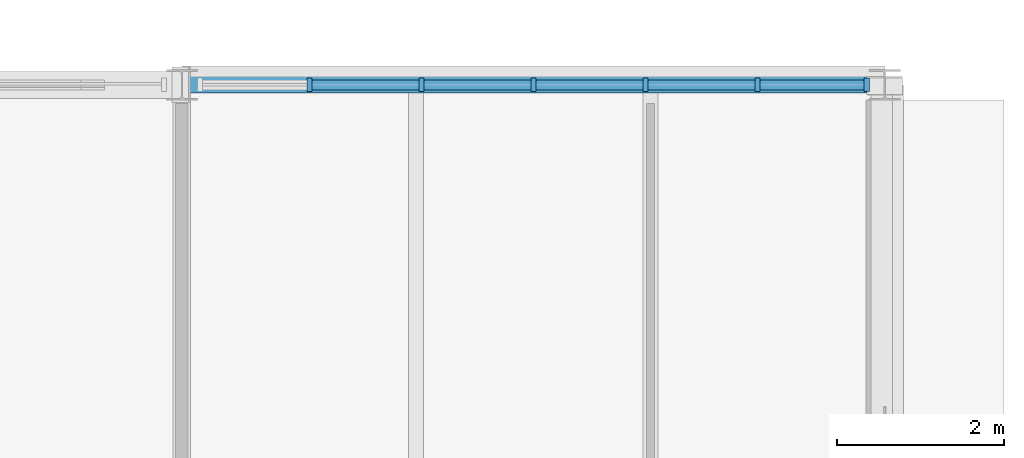
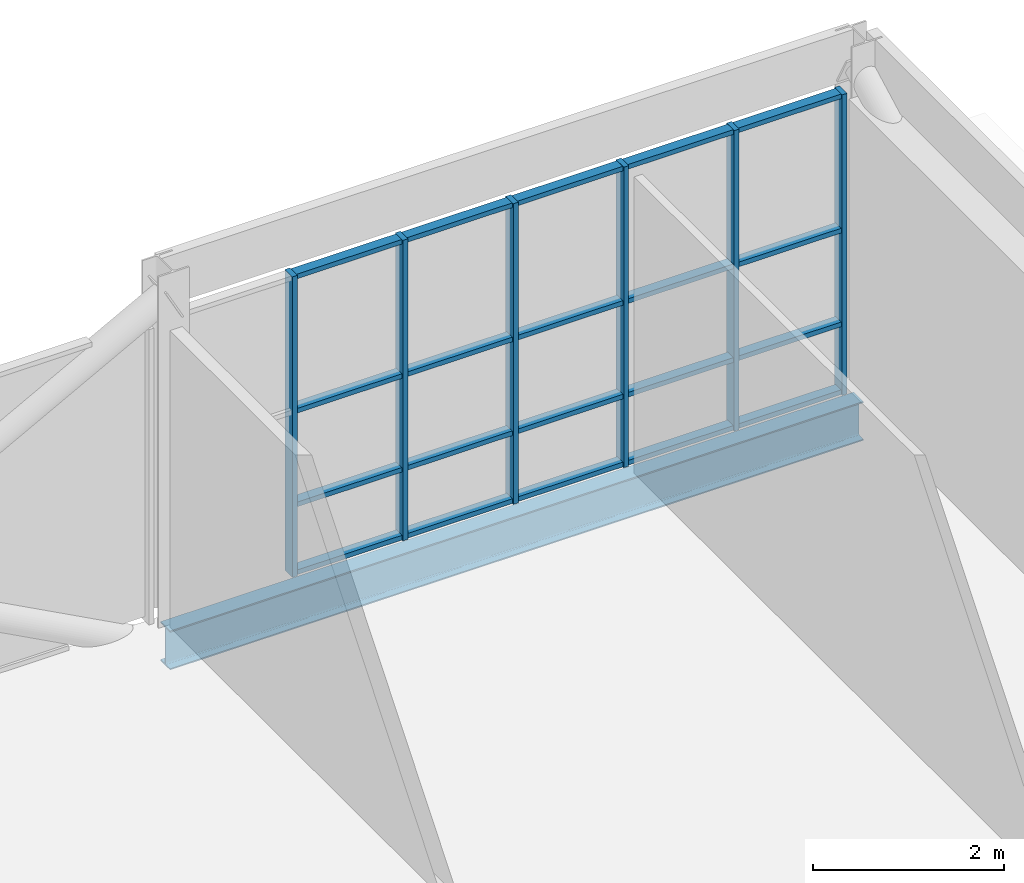
# One storey, part 65 of 121: 26 members, 1 beam, 1 element without a shape of its own.
"""IFC4 building model written with IfcOpenShell, lengths in metres."""

from ifc_helpers import new_model, si_unit, direction, frame, origin, origin_2d, place, context, subcontext, project, spatial, rectangle, i_section, extrude, material, layer, layer_set, material_profile, profile_set, type_object, element, aggregate, save


model = new_model("IFC4")

# Units and contexts
model_context = context("Model", 3, precision=1e-05, world=origin(), true_north=direction((0.0, 1.0)))
body_context = subcontext(model_context, "Body", "Model", "MODEL_VIEW")
ifc_project = project(units=[si_unit("LENGTHUNIT", "METRE"), si_unit("AREAUNIT", "SQUARE_METRE"), si_unit("VOLUMEUNIT", "CUBIC_METRE"), si_unit("PLANEANGLEUNIT", "RADIAN"), si_unit("MASSUNIT", "GRAM", prefix="KILO")], contexts=[model_context])

# Site, building, storey
site_placement = place(None, origin())
site = spatial("IfcSite", under=ifc_project, at=site_placement, CompositionType="ELEMENT")
building_placement = place(site_placement, origin())
building = spatial("IfcBuilding", under=site, at=building_placement, Name="Ardhachandra Cancer Care Centre", CompositionType="ELEMENT")
storey_placement = place(building_placement, frame((0.0, 0.0, 9.0)))
storey = spatial("IfcBuildingStorey", under=building, at=storey_placement, Name="L02", CompositionType="ELEMENT", Elevation=9.0)

# Beam
ifc_material_1 = material(Name="Steel E350 (IS 2062)", Category="steel")
ifc_material_profile_1 = material_profile(ifc_material_1, i_section(OverallWidth=0.199951171875, OverallDepth=0.5, WebThickness=0.01025390625, FlangeThickness=0.01611328125, FilletRadius=0.02099609375, at=origin_2d()), Name="NPB 500x200x90.68")
ifc_profile_set_1 = profile_set([ifc_material_profile_1], Name="Steel E350 (IS 2062)")
beam_type = type_object("IfcBeamType", Name="Beam NPB 500x200x90.68", PredefinedType="BEAM", material=ifc_profile_set_1)
beam_placement = place(storey_placement, frame((136.800048828125, 105.0, -0.39990234375), z_axis=(1.0, 0.0, 0.0), x_axis=(0.0, 1.0, 0.0)))
element("IfcBeam", 1, at=beam_placement, inside=storey, type_object=beam_type, Name="Edge girder M16-M17", PredefinedType="BEAM", context=body_context, shape_type="SweptSolid", body=[
    extrude(i_section(OverallWidth=0.199951171875, OverallDepth=0.5, WebThickness=0.01025390625, FlangeThickness=0.01611328125, FilletRadius=0.02099609375, at=origin_2d()), origin(), (0.0, 0.0, 1.0), 8.39990234375),
])

# Curtain wall, members
ifc_material_2 = material(Name="Aluminium extrusion", Category="aluminium")
ifc_layer = layer(ifc_material_2, 0.14990234375)
ifc_layer_set = layer_set([ifc_layer], Name="Aluminium extrusion")
curtain_wall_type = type_object("IfcCurtainWallType", Name="Curtain wall run", PredefinedType="NOTDEFINED", material=ifc_layer_set)
curtain_wall_placement = place(storey_placement, origin())
curtain_wall = element("IfcCurtainWall", 2, at=curtain_wall_placement, inside=storey, type_object=curtain_wall_type, Name="Curtain wall L02 n/0136800_0105000", PredefinedType="NOTDEFINED")
ifc_material_3 = material(Name="Aluminium extrusion", Category="aluminium")
ifc_material_profile_2 = material_profile(ifc_material_3, rectangle(XDim=0.159912109375, YDim=0.06005859375, at=origin_2d()), Name="Curtain wall mullion 60 x 160")
ifc_profile_set_2 = profile_set([ifc_material_profile_2], Name="Aluminium extrusion")
member_type_1 = type_object("IfcMemberType", Name="Curtain wall mullion 60 x 160", PredefinedType="MULLION", material=ifc_profile_set_2)
member_1_placement = place(storey_placement, frame((138.32373046875, 105.0, 0.0), z_axis=(0.0, 0.0, 1.0), x_axis=(0.0, 1.0, 0.0)))
member_1 = element("IfcMember", 3, at=member_1_placement, type_object=member_type_1, Name="CW mullion 2", PredefinedType="MULLION", context=body_context, shape_type="SweptSolid", body=[
    extrude(rectangle(XDim=0.159912109375, YDim=0.06005859375, at=origin_2d()), origin(), (0.0, 0.0, 1.0), 3.85009765625),
])
member_2_placement = place(storey_placement, frame((139.661865234375, 105.0, 0.0), z_axis=(0.0, 0.0, 1.0), x_axis=(0.0, 1.0, 0.0)))
member_2 = element("IfcMember", 4, at=member_2_placement, type_object=member_type_1, Name="CW mullion 3", PredefinedType="MULLION", context=body_context, shape_type="SweptSolid", body=[
    extrude(rectangle(XDim=0.159912109375, YDim=0.06005859375, at=origin_2d()), origin(), (0.0, 0.0, 1.0), 3.85009765625),
])
member_3_placement = place(storey_placement, frame((141.0, 105.0, 0.0), z_axis=(0.0, 0.0, 1.0), x_axis=(0.0, 1.0, 0.0)))
member_3 = element("IfcMember", 5, at=member_3_placement, type_object=member_type_1, Name="CW mullion 4", PredefinedType="MULLION", context=body_context, shape_type="SweptSolid", body=[
    extrude(rectangle(XDim=0.159912109375, YDim=0.06005859375, at=origin_2d()), origin(), (0.0, 0.0, 1.0), 3.85009765625),
])
member_4_placement = place(storey_placement, frame((142.338134765625, 105.0, 0.0), z_axis=(0.0, 0.0, 1.0), x_axis=(0.0, 1.0, 0.0)))
member_4 = element("IfcMember", 6, at=member_4_placement, type_object=member_type_1, Name="CW mullion 5", PredefinedType="MULLION", context=body_context, shape_type="SweptSolid", body=[
    extrude(rectangle(XDim=0.159912109375, YDim=0.06005859375, at=origin_2d()), origin(), (0.0, 0.0, 1.0), 3.85009765625),
])
member_5_placement = place(storey_placement, frame((143.67626953125, 105.0, 0.0), z_axis=(0.0, 0.0, 1.0), x_axis=(0.0, 1.0, 0.0)))
member_5 = element("IfcMember", 7, at=member_5_placement, type_object=member_type_1, Name="CW mullion 6", PredefinedType="MULLION", context=body_context, shape_type="SweptSolid", body=[
    extrude(rectangle(XDim=0.159912109375, YDim=0.06005859375, at=origin_2d()), origin(), (0.0, 0.0, 1.0), 3.85009765625),
])
member_6_placement = place(storey_placement, frame((144.984619140625, 105.0, 0.0), z_axis=(0.0, 0.0, 1.0), x_axis=(0.0, 1.0, 0.0)))
member_6 = element("IfcMember", 8, at=member_6_placement, type_object=member_type_1, Name="CW mullion 7", PredefinedType="MULLION", context=body_context, shape_type="SweptSolid", body=[
    extrude(rectangle(XDim=0.159912109375, YDim=0.06005859375, at=origin_2d()), origin(), (0.0, 0.0, 1.0), 3.85009765625),
])
ifc_material_4 = material(Name="Aluminium extrusion", Category="aluminium")
ifc_material_profile_3 = material_profile(ifc_material_4, rectangle(XDim=0.1201171875, YDim=0.06005859375, at=origin_2d()), Name="Curtain wall transom 60 x 120")
ifc_profile_set_3 = profile_set([ifc_material_profile_3], Name="Aluminium extrusion")
member_type_2 = type_object("IfcMemberType", Name="Curtain wall transom 60 x 120", PredefinedType="USERDEFINED", material=ifc_profile_set_3)
member_7_placement = place(storey_placement, frame((138.353759765625, 105.0, 0.030029296875), z_axis=(1.0, 0.0, 0.0), x_axis=(0.0, 1.0, 0.0)))
member_7 = element("IfcMember", 9, at=member_7_placement, type_object=member_type_2, Name="CW transom 2.1", ObjectType="TRANSOM", PredefinedType="USERDEFINED", context=body_context, shape_type="SweptSolid", body=[
    extrude(rectangle(XDim=0.1201171875, YDim=0.06005859375, at=origin_2d()), origin(), (0.0, 0.0, 1.0), 1.278076171875),
])
member_8_placement = place(storey_placement, frame((138.353759765625, 105.0, 0.89990234375), z_axis=(1.0, 0.0, 0.0), x_axis=(0.0, 1.0, 0.0)))
member_8 = element("IfcMember", 10, at=member_8_placement, type_object=member_type_2, Name="CW transom 2.2", ObjectType="TRANSOM", PredefinedType="USERDEFINED", context=body_context, shape_type="SweptSolid", body=[
    extrude(rectangle(XDim=0.1201171875, YDim=0.06005859375, at=origin_2d()), origin(), (0.0, 0.0, 1.0), 1.278076171875),
])
member_9_placement = place(storey_placement, frame((138.353759765625, 105.0, 2.10009765625), z_axis=(1.0, 0.0, 0.0), x_axis=(0.0, 1.0, 0.0)))
member_9 = element("IfcMember", 11, at=member_9_placement, type_object=member_type_2, Name="CW transom 2.3", ObjectType="TRANSOM", PredefinedType="USERDEFINED", context=body_context, shape_type="SweptSolid", body=[
    extrude(rectangle(XDim=0.1201171875, YDim=0.06005859375, at=origin_2d()), origin(), (0.0, 0.0, 1.0), 1.278076171875),
])
member_10_placement = place(storey_placement, frame((138.353759765625, 105.0, 3.820068359375), z_axis=(1.0, 0.0, 0.0), x_axis=(0.0, 1.0, 0.0)))
member_10 = element("IfcMember", 12, at=member_10_placement, type_object=member_type_2, Name="CW transom 2.4", ObjectType="TRANSOM", PredefinedType="USERDEFINED", context=body_context, shape_type="SweptSolid", body=[
    extrude(rectangle(XDim=0.1201171875, YDim=0.06005859375, at=origin_2d()), origin(), (0.0, 0.0, 1.0), 1.278076171875),
])
member_11_placement = place(storey_placement, frame((139.69189453125, 105.0, 0.030029296875), z_axis=(1.0, 0.0, 0.0), x_axis=(0.0, 1.0, 0.0)))
member_11 = element("IfcMember", 13, at=member_11_placement, type_object=member_type_2, Name="CW transom 3.1", ObjectType="TRANSOM", PredefinedType="USERDEFINED", context=body_context, shape_type="SweptSolid", body=[
    extrude(rectangle(XDim=0.1201171875, YDim=0.06005859375, at=origin_2d()), origin(), (0.0, 0.0, 1.0), 1.278076171875),
])
member_12_placement = place(storey_placement, frame((139.69189453125, 105.0, 0.89990234375), z_axis=(1.0, 0.0, 0.0), x_axis=(0.0, 1.0, 0.0)))
member_12 = element("IfcMember", 14, at=member_12_placement, type_object=member_type_2, Name="CW transom 3.2", ObjectType="TRANSOM", PredefinedType="USERDEFINED", context=body_context, shape_type="SweptSolid", body=[
    extrude(rectangle(XDim=0.1201171875, YDim=0.06005859375, at=origin_2d()), origin(), (0.0, 0.0, 1.0), 1.278076171875),
])
member_13_placement = place(storey_placement, frame((139.69189453125, 105.0, 2.10009765625), z_axis=(1.0, 0.0, 0.0), x_axis=(0.0, 1.0, 0.0)))
member_13 = element("IfcMember", 15, at=member_13_placement, type_object=member_type_2, Name="CW transom 3.3", ObjectType="TRANSOM", PredefinedType="USERDEFINED", context=body_context, shape_type="SweptSolid", body=[
    extrude(rectangle(XDim=0.1201171875, YDim=0.06005859375, at=origin_2d()), origin(), (0.0, 0.0, 1.0), 1.278076171875),
])
member_14_placement = place(storey_placement, frame((139.69189453125, 105.0, 3.820068359375), z_axis=(1.0, 0.0, 0.0), x_axis=(0.0, 1.0, 0.0)))
member_14 = element("IfcMember", 16, at=member_14_placement, type_object=member_type_2, Name="CW transom 3.4", ObjectType="TRANSOM", PredefinedType="USERDEFINED", context=body_context, shape_type="SweptSolid", body=[
    extrude(rectangle(XDim=0.1201171875, YDim=0.06005859375, at=origin_2d()), origin(), (0.0, 0.0, 1.0), 1.278076171875),
])
member_15_placement = place(storey_placement, frame((141.030029296875, 105.0, 0.030029296875), z_axis=(1.0, 0.0, 0.0), x_axis=(0.0, 1.0, 0.0)))
member_15 = element("IfcMember", 17, at=member_15_placement, type_object=member_type_2, Name="CW transom 4.1", ObjectType="TRANSOM", PredefinedType="USERDEFINED", context=body_context, shape_type="SweptSolid", body=[
    extrude(rectangle(XDim=0.1201171875, YDim=0.06005859375, at=origin_2d()), origin(), (0.0, 0.0, 1.0), 1.278076171875),
])
member_16_placement = place(storey_placement, frame((141.030029296875, 105.0, 0.89990234375), z_axis=(1.0, 0.0, 0.0), x_axis=(0.0, 1.0, 0.0)))
member_16 = element("IfcMember", 18, at=member_16_placement, type_object=member_type_2, Name="CW transom 4.2", ObjectType="TRANSOM", PredefinedType="USERDEFINED", context=body_context, shape_type="SweptSolid", body=[
    extrude(rectangle(XDim=0.1201171875, YDim=0.06005859375, at=origin_2d()), origin(), (0.0, 0.0, 1.0), 1.278076171875),
])
member_17_placement = place(storey_placement, frame((141.030029296875, 105.0, 2.10009765625), z_axis=(1.0, 0.0, 0.0), x_axis=(0.0, 1.0, 0.0)))
member_17 = element("IfcMember", 19, at=member_17_placement, type_object=member_type_2, Name="CW transom 4.3", ObjectType="TRANSOM", PredefinedType="USERDEFINED", context=body_context, shape_type="SweptSolid", body=[
    extrude(rectangle(XDim=0.1201171875, YDim=0.06005859375, at=origin_2d()), origin(), (0.0, 0.0, 1.0), 1.278076171875),
])
member_18_placement = place(storey_placement, frame((141.030029296875, 105.0, 3.820068359375), z_axis=(1.0, 0.0, 0.0), x_axis=(0.0, 1.0, 0.0)))
member_18 = element("IfcMember", 20, at=member_18_placement, type_object=member_type_2, Name="CW transom 4.4", ObjectType="TRANSOM", PredefinedType="USERDEFINED", context=body_context, shape_type="SweptSolid", body=[
    extrude(rectangle(XDim=0.1201171875, YDim=0.06005859375, at=origin_2d()), origin(), (0.0, 0.0, 1.0), 1.278076171875),
])
member_19_placement = place(storey_placement, frame((142.3681640625, 105.0, 0.030029296875), z_axis=(1.0, 0.0, 0.0), x_axis=(0.0, 1.0, 0.0)))
member_19 = element("IfcMember", 21, at=member_19_placement, type_object=member_type_2, Name="CW transom 5.1", ObjectType="TRANSOM", PredefinedType="USERDEFINED", context=body_context, shape_type="SweptSolid", body=[
    extrude(rectangle(XDim=0.1201171875, YDim=0.06005859375, at=origin_2d()), origin(), (0.0, 0.0, 1.0), 1.278076171875),
])
member_20_placement = place(storey_placement, frame((142.3681640625, 105.0, 0.89990234375), z_axis=(1.0, 0.0, 0.0), x_axis=(0.0, 1.0, 0.0)))
member_20 = element("IfcMember", 22, at=member_20_placement, type_object=member_type_2, Name="CW transom 5.2", ObjectType="TRANSOM", PredefinedType="USERDEFINED", context=body_context, shape_type="SweptSolid", body=[
    extrude(rectangle(XDim=0.1201171875, YDim=0.06005859375, at=origin_2d()), origin(), (0.0, 0.0, 1.0), 1.278076171875),
])
member_21_placement = place(storey_placement, frame((142.3681640625, 105.0, 2.10009765625), z_axis=(1.0, 0.0, 0.0), x_axis=(0.0, 1.0, 0.0)))
member_21 = element("IfcMember", 23, at=member_21_placement, type_object=member_type_2, Name="CW transom 5.3", ObjectType="TRANSOM", PredefinedType="USERDEFINED", context=body_context, shape_type="SweptSolid", body=[
    extrude(rectangle(XDim=0.1201171875, YDim=0.06005859375, at=origin_2d()), origin(), (0.0, 0.0, 1.0), 1.278076171875),
])
member_22_placement = place(storey_placement, frame((142.3681640625, 105.0, 3.820068359375), z_axis=(1.0, 0.0, 0.0), x_axis=(0.0, 1.0, 0.0)))
member_22 = element("IfcMember", 24, at=member_22_placement, type_object=member_type_2, Name="CW transom 5.4", ObjectType="TRANSOM", PredefinedType="USERDEFINED", context=body_context, shape_type="SweptSolid", body=[
    extrude(rectangle(XDim=0.1201171875, YDim=0.06005859375, at=origin_2d()), origin(), (0.0, 0.0, 1.0), 1.278076171875),
])
member_23_placement = place(storey_placement, frame((143.706298828125, 105.0, 0.030029296875), z_axis=(1.0, 0.0, 0.0), x_axis=(0.0, 1.0, 0.0)))
member_23 = element("IfcMember", 25, at=member_23_placement, type_object=member_type_2, Name="CW transom 6.1", ObjectType="TRANSOM", PredefinedType="USERDEFINED", context=body_context, shape_type="SweptSolid", body=[
    extrude(rectangle(XDim=0.1201171875, YDim=0.06005859375, at=origin_2d()), origin(), (0.0, 0.0, 1.0), 1.248291015625),
])
member_24_placement = place(storey_placement, frame((143.706298828125, 105.0, 0.89990234375), z_axis=(1.0, 0.0, 0.0), x_axis=(0.0, 1.0, 0.0)))
member_24 = element("IfcMember", 26, at=member_24_placement, type_object=member_type_2, Name="CW transom 6.2", ObjectType="TRANSOM", PredefinedType="USERDEFINED", context=body_context, shape_type="SweptSolid", body=[
    extrude(rectangle(XDim=0.1201171875, YDim=0.06005859375, at=origin_2d()), origin(), (0.0, 0.0, 1.0), 1.248291015625),
])
member_25_placement = place(storey_placement, frame((143.706298828125, 105.0, 2.10009765625), z_axis=(1.0, 0.0, 0.0), x_axis=(0.0, 1.0, 0.0)))
member_25 = element("IfcMember", 27, at=member_25_placement, type_object=member_type_2, Name="CW transom 6.3", ObjectType="TRANSOM", PredefinedType="USERDEFINED", context=body_context, shape_type="SweptSolid", body=[
    extrude(rectangle(XDim=0.1201171875, YDim=0.06005859375, at=origin_2d()), origin(), (0.0, 0.0, 1.0), 1.248291015625),
])
member_26_placement = place(storey_placement, frame((143.706298828125, 105.0, 3.820068359375), z_axis=(1.0, 0.0, 0.0), x_axis=(0.0, 1.0, 0.0)))
member_26 = element("IfcMember", 28, at=member_26_placement, type_object=member_type_2, Name="CW transom 6.4", ObjectType="TRANSOM", PredefinedType="USERDEFINED", context=body_context, shape_type="SweptSolid", body=[
    extrude(rectangle(XDim=0.1201171875, YDim=0.06005859375, at=origin_2d()), origin(), (0.0, 0.0, 1.0), 1.248291015625),
])
aggregate(curtain_wall, [member_1, member_2, member_3, member_4, member_5, member_6, member_7, member_8, member_9, member_10, member_11, member_12, member_13, member_14, member_15, member_16, member_17, member_18, member_19, member_20, member_21, member_22, member_23, member_24, member_25, member_26])

save(model, "model.ifc")
